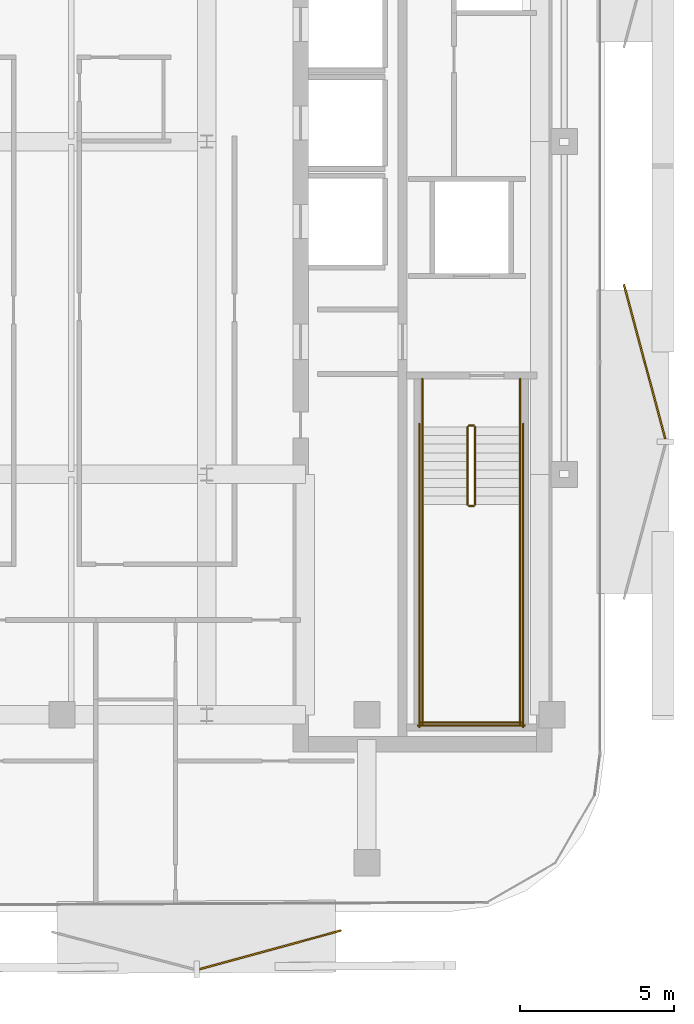
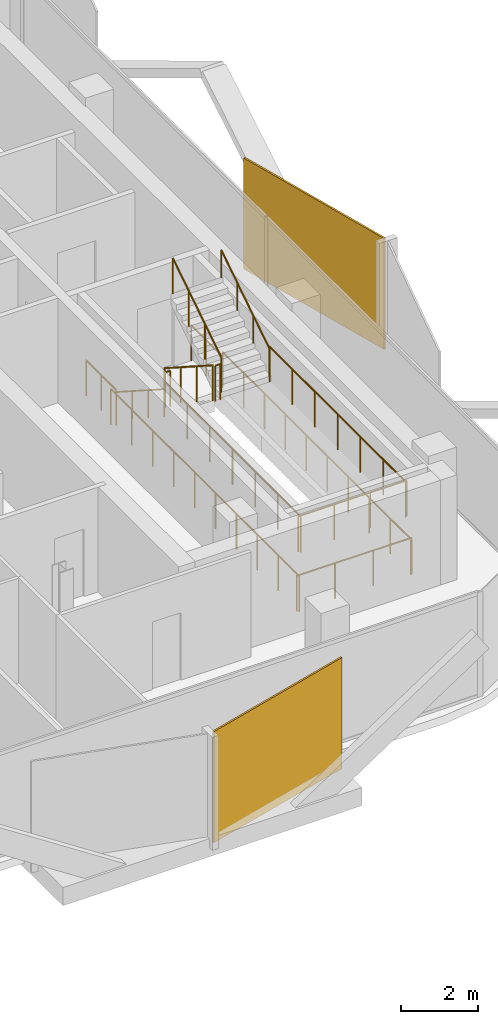
# One storey, part 14 of 15: 14 railings, 2 coverings.
"""IFC4 building model written with IfcOpenShell, lengths in metres."""

from ifc_helpers import new_model, si_unit, direction, frame, origin, origin_2d, place, context, subcontext, project, spatial, rectangle, circle, extrude, material, layer, layer_set, type_object, element, save


model = new_model("IFC4")

# Units and contexts
model_context = context("Model", 3, precision=1e-05, world=origin(), true_north=direction((0.0, 1.0)))
body_context = subcontext(model_context, "Body", "Model", "MODEL_VIEW")
ifc_project = project(units=[si_unit("LENGTHUNIT", "METRE"), si_unit("AREAUNIT", "SQUARE_METRE"), si_unit("VOLUMEUNIT", "CUBIC_METRE"), si_unit("PLANEANGLEUNIT", "RADIAN"), si_unit("MASSUNIT", "GRAM", prefix="KILO")], contexts=[model_context])

# Site, building, storey
site_placement = place(None, origin())
site = spatial("IfcSite", under=ifc_project, at=site_placement, CompositionType="ELEMENT")
building_placement = place(site_placement, origin())
building = spatial("IfcBuilding", under=site, at=building_placement, Name="Khairoan Windgate Tower", CompositionType="ELEMENT")
storey_placement = place(building_placement, frame((0.0, 0.0, 251.199951171875)))
storey = spatial("IfcBuildingStorey", under=building, at=storey_placement, Name="L59", CompositionType="ELEMENT", Elevation=251.199951171875)

# Coverings
ifc_material_1 = material(Name="Anodised Bronze Aluminium 6063-T6", Category="aluminium")
ifc_layer = layer(ifc_material_1, 0.054931640625, Name="Anodised Bronze Aluminium 6063-T6")
ifc_layer_set = layer_set([ifc_layer], Name="Anodised Bronze Aluminium 6063-T6")
covering_type = type_object("IfcCoveringType", Name="Perforated Bronze-Ceramic Folded Solar Screen Cladding BSC-1", PredefinedType="CLADDING", material=ifc_layer_set)
covering_1_placement = place(storey_placement, frame((11.264404296875, -26.226806640625, -0.099853515625), z_axis=(0.0, 0.0, 1.0), x_axis=(-0.964649468762, -0.263536339841, 0.0)))
element("IfcCovering", 1, at=covering_1_placement, inside=storey, type_object=covering_type, Name="L59 Folded Bronze Solar Screen Facet 401L", PredefinedType="CLADDING", context=body_context, shape_type="SweptSolid", body=[
    extrude(rectangle(XDim=4.76708984375, YDim=0.054931640625, at=origin_2d()), origin(), (0.0, 0.0, 1.0), 3.5400390625),
])
covering_2_placement = place(storey_placement, frame((23.408447265625, -7.14599609375, -0.099853515625), z_axis=(0.0, 0.0, 1.0), x_axis=(0.258819045103, -0.965925826289, 0.0)))
element("IfcCovering", 2, at=covering_2_placement, inside=storey, type_object=covering_type, Name="L59 Folded Bronze Solar Screen Facet 408L", PredefinedType="CLADDING", context=body_context, shape_type="SweptSolid", body=[
    extrude(rectangle(XDim=5.18994140625, YDim=0.054931640625, at=origin_2d()), origin(), (0.0, 0.0, 1.0), 3.5400390625),
])

# Railings
ifc_material_2 = material(Name="Anodised Bronze Aluminium 6063-T6", Category="aluminium")
railing_type_1 = type_object("IfcRailingType", Name="Stair Wall Handrail SHR-900", PredefinedType="HANDRAIL", material=ifc_material_2)
railing_1_placement = place(storey_placement, frame((16.199951171875, -9.260009765625, 0.179931640625)))
element("IfcRailing", 3, at=railing_1_placement, inside=storey, type_object=railing_type_1, Name="L59 ST1 stair handrail 1", PredefinedType="HANDRAIL", context=body_context, shape_type="SweptSolid", body=[
    extrude(circle(Radius=0.02392578125, at=origin_2d()), frame((0.0, 0.0, 0.8759765625), z_axis=(0.0, -0.841162588446, 0.540782303519), x_axis=(1.0, 0.0, 0.0)), (0.0, 0.0, 1.0), 2.995849609375),
    extrude(circle(Radius=0.02099609375, at=origin_2d()), origin(), (0.0, 0.0, 1.0), 0.851806640625),
    extrude(circle(Radius=0.02099609375, at=origin_2d()), frame((0.0, -0.840087890625, 0.5400390625)), (0.0, 0.0, 1.0), 0.851806640625),
    extrude(circle(Radius=0.02099609375, at=origin_2d()), frame((0.0, -1.679931640625, 1.080078125)), (0.0, 0.0, 1.0), 0.851806640625),
    extrude(circle(Radius=0.02099609375, at=origin_2d()), frame((0.0, -2.52001953125, 1.6201171875)), (0.0, 0.0, 1.0), 0.851806640625),
])
railing_2_placement = place(storey_placement, frame((19.3701171875, -11.780029296875, 1.97998046875)))
element("IfcRailing", 4, at=railing_2_placement, inside=storey, type_object=railing_type_1, Name="L59 ST1 stair handrail 2", PredefinedType="HANDRAIL", context=body_context, shape_type="SweptSolid", body=[
    extrude(circle(Radius=0.02392578125, at=origin_2d()), frame((0.0, 0.0, 0.8759765625), z_axis=(0.0, 0.841162588446, 0.540782303519), x_axis=(-1.0, 0.0, 0.0)), (0.0, 0.0, 1.0), 2.995849609375),
    extrude(circle(Radius=0.02099609375, at=origin_2d()), origin(), (0.0, 0.0, 1.0), 0.851806640625),
    extrude(circle(Radius=0.02099609375, at=origin_2d()), frame((0.0, 0.840087890625, 0.5400390625)), (0.0, 0.0, 1.0), 0.851806640625),
    extrude(circle(Radius=0.02099609375, at=origin_2d()), frame((0.0, 1.679931640625, 1.080078125)), (0.0, 0.0, 1.0), 0.851806640625),
    extrude(circle(Radius=0.02099609375, at=origin_2d()), frame((0.0, 2.52001953125, 1.6201171875)), (0.0, 0.0, 1.0), 0.851806640625),
])
ifc_material_3 = material(Name="Steel S355", Category="steel")
railing_type_2 = type_object("IfcRailingType", Name="Stairwell Safety Guardrail SGR-1150", PredefinedType="GUARDRAIL", material=ifc_material_3)
railing_3_placement = place(storey_placement, frame((17.659912109375, -9.260009765625, 0.179931640625)))
element("IfcRailing", 5, at=railing_3_placement, inside=storey, type_object=railing_type_2, Name="L59 ST1 stair guard 1", PredefinedType="GUARDRAIL", context=body_context, shape_type="SweptSolid", body=[
    extrude(circle(Radius=0.02392578125, at=origin_2d()), frame((0.0, 0.0, 1.1259765625), z_axis=(0.0, -0.841162588446, 0.540782303519), x_axis=(1.0, 0.0, 0.0)), (0.0, 0.0, 1.0), 2.995849609375),
    extrude(circle(Radius=0.02099609375, at=origin_2d()), origin(), (0.0, 0.0, 1.0), 1.101806640625),
    extrude(circle(Radius=0.02099609375, at=origin_2d()), frame((0.0, -0.840087890625, 0.5400390625)), (0.0, 0.0, 1.0), 1.101806640625),
    extrude(circle(Radius=0.02099609375, at=origin_2d()), frame((0.0, -1.679931640625, 1.080078125)), (0.0, 0.0, 1.0), 1.101806640625),
    extrude(circle(Radius=0.02099609375, at=origin_2d()), frame((0.0, -2.52001953125, 1.6201171875)), (0.0, 0.0, 1.0), 1.101806640625),
])
railing_4_placement = place(storey_placement, frame((17.7099609375, -11.830078125, 1.800048828125)))
element("IfcRailing", 6, at=railing_4_placement, inside=storey, type_object=railing_type_2, Name="L59 ST1 stair guard 2", PredefinedType="GUARDRAIL", context=body_context, shape_type="SweptSolid", body=[
    extrude(circle(Radius=0.02392578125, at=origin_2d()), frame((0.0, 0.0, 1.1259765625), z_axis=(1.0, 0.0, 0.0), x_axis=(0.0, 1.0, 0.0)), (0.0, 0.0, 1.0), 0.150146484375),
    extrude(circle(Radius=0.02099609375, at=origin_2d()), origin(), (0.0, 0.0, 1.0), 1.101806640625),
    extrude(circle(Radius=0.02099609375, at=origin_2d()), frame((0.150146484375, 0.0, 0.0)), (0.0, 0.0, 1.0), 1.101806640625),
])
for number, where, name in (
    (7, (16.199951171875, -11.780029296875, 1.800048828125), "L59 ST1 stair guard 3"),
    (8, (19.3701171875, -11.780029296875, 1.800048828125), "L59 ST1 stair guard 4"),
):
    element("IfcRailing", number, at=place(storey_placement, frame(where)), inside=storey, type_object=railing_type_2, Name=name, PredefinedType="GUARDRAIL", context=body_context, shape_type="SweptSolid", body=[
        extrude(circle(Radius=0.02392578125, at=origin_2d()), frame((0.0, 0.0, 1.1259765625), z_axis=(0.0, -1.0, 0.0), x_axis=(1.0, 0.0, 0.0)), (0.0, 0.0, 1.0), 7.119873046875),
        extrude(circle(Radius=0.02099609375, at=origin_2d()), origin(), (0.0, 0.0, 1.0), 1.101806640625),
        extrude(circle(Radius=0.02099609375, at=origin_2d()), frame((0.0, -1.1865234375, 0.0)), (0.0, 0.0, 1.0), 1.101806640625),
        extrude(circle(Radius=0.02099609375, at=origin_2d()), frame((0.0, -2.373291015625, 0.0)), (0.0, 0.0, 1.0), 1.101806640625),
        extrude(circle(Radius=0.02099609375, at=origin_2d()), frame((0.0, -3.56005859375, 0.0)), (0.0, 0.0, 1.0), 1.101806640625),
        extrude(circle(Radius=0.02099609375, at=origin_2d()), frame((0.0, -4.74658203125, 0.0)), (0.0, 0.0, 1.0), 1.101806640625),
        extrude(circle(Radius=0.02099609375, at=origin_2d()), frame((0.0, -5.93310546875, 0.0)), (0.0, 0.0, 1.0), 1.101806640625),
        extrude(circle(Radius=0.02099609375, at=origin_2d()), frame((0.0, -7.119873046875, 0.0)), (0.0, 0.0, 1.0), 1.101806640625),
    ])
railing_5_placement = place(storey_placement, frame((16.14990234375, -18.85009765625, 1.800048828125)))
element("IfcRailing", 9, at=railing_5_placement, inside=storey, type_object=railing_type_2, Name="L59 ST1 stair guard 5", PredefinedType="GUARDRAIL", context=body_context, shape_type="SweptSolid", body=[
    extrude(circle(Radius=0.02392578125, at=origin_2d()), frame((0.0, 0.0, 1.1259765625), z_axis=(1.0, 0.0, 0.0), x_axis=(0.0, 1.0, 0.0)), (0.0, 0.0, 1.0), 3.27001953125),
    extrude(circle(Radius=0.02099609375, at=origin_2d()), origin(), (0.0, 0.0, 1.0), 1.101806640625),
    extrude(circle(Radius=0.02099609375, at=origin_2d()), frame((1.090087890625, 0.0, 0.0)), (0.0, 0.0, 1.0), 1.101806640625),
    extrude(circle(Radius=0.02099609375, at=origin_2d()), frame((2.179931640625, 0.0, 0.0)), (0.0, 0.0, 1.0), 1.101806640625),
    extrude(circle(Radius=0.02099609375, at=origin_2d()), frame((3.27001953125, 0.0, 0.0)), (0.0, 0.0, 1.0), 1.101806640625),
])
railing_6_placement = place(storey_placement, frame((17.909912109375, -11.780029296875, 1.97998046875)))
element("IfcRailing", 10, at=railing_6_placement, inside=storey, type_object=railing_type_2, Name="L59 ST1 stair guard 6", PredefinedType="GUARDRAIL", context=body_context, shape_type="SweptSolid", body=[
    extrude(circle(Radius=0.02392578125, at=origin_2d()), frame((0.0, 0.0, 1.1259765625), z_axis=(0.0, 0.841162588446, 0.540782303519), x_axis=(-1.0, 0.0, 0.0)), (0.0, 0.0, 1.0), 2.995849609375),
    extrude(circle(Radius=0.02099609375, at=origin_2d()), origin(), (0.0, 0.0, 1.0), 1.101806640625),
    extrude(circle(Radius=0.02099609375, at=origin_2d()), frame((0.0, 0.840087890625, 0.5400390625)), (0.0, 0.0, 1.0), 1.101806640625),
    extrude(circle(Radius=0.02099609375, at=origin_2d()), frame((0.0, 1.679931640625, 1.080078125)), (0.0, 0.0, 1.0), 1.101806640625),
    extrude(circle(Radius=0.02099609375, at=origin_2d()), frame((0.0, 2.52001953125, 1.6201171875)), (0.0, 0.0, 1.0), 1.101806640625),
])
railing_7_placement = place(storey_placement, frame((17.7099609375, -9.2099609375, 0.0)))
element("IfcRailing", 11, at=railing_7_placement, inside=storey, type_object=railing_type_2, Name="L59 ST1 stair guard 7", PredefinedType="GUARDRAIL", context=body_context, shape_type="SweptSolid", body=[
    extrude(circle(Radius=0.02392578125, at=origin_2d()), frame((0.0, 0.0, 1.1259765625), z_axis=(1.0, 0.0, 0.0), x_axis=(0.0, 1.0, 0.0)), (0.0, 0.0, 1.0), 0.150146484375),
    extrude(circle(Radius=0.02099609375, at=origin_2d()), origin(), (0.0, 0.0, 1.0), 1.101806640625),
    extrude(circle(Radius=0.02099609375, at=origin_2d()), frame((0.150146484375, 0.0, 0.0)), (0.0, 0.0, 1.0), 1.101806640625),
])
for number, where, name in (
    (12, (16.199951171875, -7.699951171875, 0.0), "L59 ST1 stair guard 8"),
    (13, (19.3701171875, -7.699951171875, 0.0), "L59 ST1 stair guard 9"),
):
    element("IfcRailing", number, at=place(storey_placement, frame(where)), inside=storey, type_object=railing_type_2, Name=name, PredefinedType="GUARDRAIL", context=body_context, shape_type="SweptSolid", body=[
        extrude(circle(Radius=0.02392578125, at=origin_2d()), frame((0.0, 0.0, 1.1259765625), z_axis=(0.0, -1.0, 0.0), x_axis=(1.0, 0.0, 0.0)), (0.0, 0.0, 1.0), 1.56005859375),
        extrude(circle(Radius=0.02099609375, at=origin_2d()), origin(), (0.0, 0.0, 1.0), 1.101806640625),
        extrude(circle(Radius=0.02099609375, at=origin_2d()), frame((0.0, -0.780029296875, 0.0)), (0.0, 0.0, 1.0), 1.101806640625),
        extrude(circle(Radius=0.02099609375, at=origin_2d()), frame((0.0, -1.56005859375, 0.0)), (0.0, 0.0, 1.0), 1.101806640625),
    ])
for number, where, name in (
    (14, (16.10009765625, -9.159912109375, 0.0), "L59 ST1 stair guard 10"),
    (15, (19.469970703125, -9.159912109375, 0.0), "L59 ST1 stair guard 11"),
):
    element("IfcRailing", number, at=place(storey_placement, frame(where)), inside=storey, type_object=railing_type_2, Name=name, PredefinedType="GUARDRAIL", context=body_context, shape_type="SweptSolid", body=[
        extrude(circle(Radius=0.02392578125, at=origin_2d()), frame((0.0, 0.0, 1.1259765625), z_axis=(0.0, -1.0, 0.0), x_axis=(1.0, 0.0, 0.0)), (0.0, 0.0, 1.0), 9.840087890625),
        extrude(circle(Radius=0.02099609375, at=origin_2d()), origin(), (0.0, 0.0, 1.0), 1.101806640625),
        extrude(circle(Radius=0.02099609375, at=origin_2d()), frame((0.0, -1.09326171875, 0.0)), (0.0, 0.0, 1.0), 1.101806640625),
        extrude(circle(Radius=0.02099609375, at=origin_2d()), frame((0.0, -2.186767578125, 0.0)), (0.0, 0.0, 1.0), 1.101806640625),
        extrude(circle(Radius=0.02099609375, at=origin_2d()), frame((0.0, -3.280029296875, 0.0)), (0.0, 0.0, 1.0), 1.101806640625),
        extrude(circle(Radius=0.02099609375, at=origin_2d()), frame((0.0, -4.373291015625, 0.0)), (0.0, 0.0, 1.0), 1.101806640625),
        extrude(circle(Radius=0.02099609375, at=origin_2d()), frame((0.0, -5.466796875, 0.0)), (0.0, 0.0, 1.0), 1.101806640625),
        extrude(circle(Radius=0.02099609375, at=origin_2d()), frame((0.0, -6.56005859375, 0.0)), (0.0, 0.0, 1.0), 1.101806640625),
        extrude(circle(Radius=0.02099609375, at=origin_2d()), frame((0.0, -7.6533203125, 0.0)), (0.0, 0.0, 1.0), 1.101806640625),
        extrude(circle(Radius=0.02099609375, at=origin_2d()), frame((0.0, -8.746826171875, 0.0)), (0.0, 0.0, 1.0), 1.101806640625),
        extrude(circle(Radius=0.02099609375, at=origin_2d()), frame((0.0, -9.840087890625, 0.0)), (0.0, 0.0, 1.0), 1.101806640625),
    ])
railing_8_placement = place(storey_placement, frame((16.050048828125, -18.949951171875, 0.0)))
element("IfcRailing", 16, at=railing_8_placement, inside=storey, type_object=railing_type_2, Name="L59 ST1 stair guard 12", PredefinedType="GUARDRAIL", context=body_context, shape_type="SweptSolid", body=[
    extrude(circle(Radius=0.02392578125, at=origin_2d()), frame((0.0, 0.0, 1.1259765625), z_axis=(1.0, 0.0, 0.0), x_axis=(0.0, 1.0, 0.0)), (0.0, 0.0, 1.0), 3.469970703125),
    extrude(circle(Radius=0.02099609375, at=origin_2d()), origin(), (0.0, 0.0, 1.0), 1.101806640625),
    extrude(circle(Radius=0.02099609375, at=origin_2d()), frame((1.15673828125, 0.0, 0.0)), (0.0, 0.0, 1.0), 1.101806640625),
    extrude(circle(Radius=0.02099609375, at=origin_2d()), frame((2.313232421875, 0.0, 0.0)), (0.0, 0.0, 1.0), 1.101806640625),
    extrude(circle(Radius=0.02099609375, at=origin_2d()), frame((3.469970703125, 0.0, 0.0)), (0.0, 0.0, 1.0), 1.101806640625),
])

save(model, "model.ifc")
